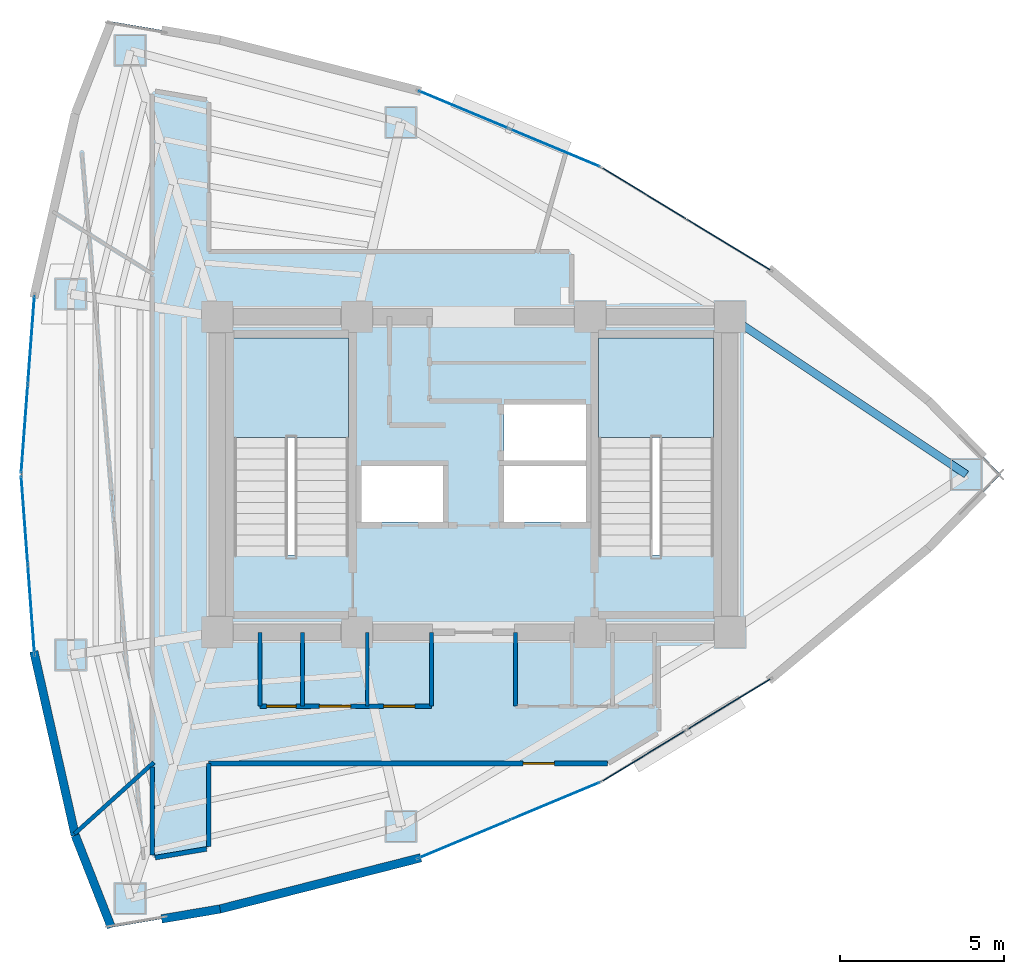
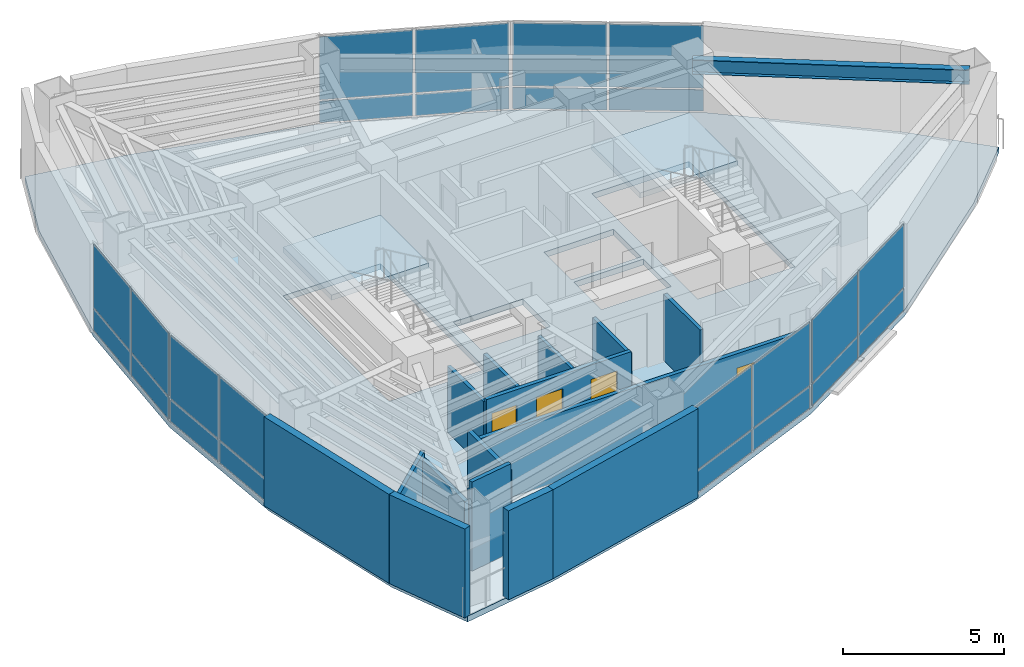
# One storey, part 11 of 16: 24 plates, 15 walls, 4 doors, 3 slabs, 1 beam, 4 openings, 8 elements without a shape of their own.
"""IFC4 building model written with IfcOpenShell, lengths in metres."""

import ifcopenshell
import ifcopenshell.guid

model = None  # the IFC model being written
_history = None  # IfcOwnerHistory: only IFC2X3 demands one
_inside = {}  # id of a spatial element -> (the spatial element, [elements in it])
_under = {}  # id of a project, library or spatial element -> (it, [spatial elements below it])
_declared = {}  # id of a project -> (the project, [libraries it declares])
_typed = {}  # id of a type object -> (the type object, [elements of that type])
_made_of = {}  # id of a material, layer set ... -> (it, [elements and type objects made of it])


def new_model(schema):
    """Start an empty IFC model of exactly this schema.

    Asked for "IFC4X3", IfcOpenShell would pick the latest addendum, in which some entities
    have other attributes; the version numbers below select the first issue.
    IFC2X3 requires an IfcOwnerHistory on every rooted entity: one is made here for all.
    """
    global model, _history
    if schema == "IFC4X3":
        model = ifcopenshell.file(schema_version=(4, 3, 0, 0))
    else:
        model = ifcopenshell.file(schema=schema)
    _inside.clear()
    _under.clear()
    _declared.clear()
    _typed.clear()
    _made_of.clear()
    _history = None
    if model.schema == "IFC2X3":
        org = make("IfcOrganization", Name="unknown")
        user = make(
            "IfcPersonAndOrganization",
            ThePerson=make("IfcPerson", FamilyName="unknown"),
            TheOrganization=org,
        )
        app = make(
            "IfcApplication",
            ApplicationDeveloper=org,
            Version="unknown",
            ApplicationFullName="unknown",
            ApplicationIdentifier="unknown",
        )
        _history = make(
            "IfcOwnerHistory",
            OwningUser=user,
            OwningApplication=app,
            ChangeAction="ADDED",
            CreationDate=0,
        )
    return model


def make(cls, **values):
    """One entity of the class cls with the attributes given. An attribute that is None is left unset."""
    return model.create_entity(
        cls, **{name: value for name, value in values.items() if value is not None}
    )


def rooted(cls, **values):
    """An entity with a GlobalId (a new one), such as an element, a storey or a relation."""
    return make(cls, GlobalId=ifcopenshell.guid.new(), OwnerHistory=_history, **values)


def si_unit(unit_type, name, prefix=None):
    """IfcSIUnit, for example si_unit("LENGTHUNIT", "METRE", prefix="MILLI")."""
    return make("IfcSIUnit", UnitType=unit_type, Prefix=prefix, Name=name)


def assignment(units):
    """IfcUnitAssignment: the units of a project."""
    return None if units is None else make("IfcUnitAssignment", Units=units)


def point(xyz):
    """IfcCartesianPoint."""
    return None if xyz is None else make("IfcCartesianPoint", Coordinates=xyz)


def direction(xyz):
    """IfcDirection."""
    return None if xyz is None else make("IfcDirection", DirectionRatios=xyz)


def frame(location, z_axis=None, x_axis=None):
    """IfcAxis2Placement3D, a coordinate frame: its origin and axes. An axis left out is left unset."""
    return make(
        "IfcAxis2Placement3D",
        Location=point(location),
        Axis=direction(z_axis),
        RefDirection=direction(x_axis),
    )


def frame_2d(location, x_axis=None):
    """IfcAxis2Placement2D, a coordinate frame in the plane: its origin and x axis."""
    return make(
        "IfcAxis2Placement2D", Location=point(location), RefDirection=direction(x_axis)
    )


def origin():
    """The frame at (0, 0, 0) with its axes left unset."""
    return frame((0.0, 0.0, 0.0))


def origin_2d():
    """The frame at (0, 0) in the plane with its x axis left unset."""
    return frame_2d((0.0, 0.0))


def place(relative_to, where):
    """IfcLocalPlacement: puts the frame where relative to a parent placement (None: the world)."""
    return make(
        "IfcLocalPlacement", PlacementRelTo=relative_to, RelativePlacement=where
    )


def context(
    kind, dimensions, precision=None, world=None, true_north=None, identifier=None
):
    """IfcGeometricRepresentationContext, for example the 3D "Model" context."""
    return make(
        "IfcGeometricRepresentationContext",
        ContextIdentifier=identifier,
        ContextType=kind,
        CoordinateSpaceDimension=dimensions,
        Precision=precision,
        WorldCoordinateSystem=world,
        TrueNorth=true_north,
    )


def subcontext(parent, identifier, kind, view, scale=None):
    """IfcGeometricRepresentationSubContext, for example "Body" below "Model"."""
    return make(
        "IfcGeometricRepresentationSubContext",
        ContextIdentifier=identifier,
        ContextType=kind,
        ParentContext=parent,
        TargetScale=scale,
        TargetView=view,
    )


def project(units=None, contexts=None):
    """IfcProject with its units and contexts."""
    return rooted(
        "IfcProject",
        Name="project",
        RepresentationContexts=contexts,
        UnitsInContext=assignment(units),
    )


def spatial(cls, under=None, at=None, **own):
    """A site, building, storey or space (cls), placed at a placement, below another one or the project."""
    s = rooted(cls, ObjectPlacement=at, **own)
    if under is not None:
        _under.setdefault(under.id(), (under, []))[1].append(s)
    return s


def polyline(points):
    """IfcPolyline through the points."""
    return make("IfcPolyline", Points=[point(p) for p in points])


def profile(cls, at=None, kind="AREA", **sizes):
    """A parametric profile (cls). Its sizes go by their IFC names, for example OverallWidth=200.0."""
    return make(cls, ProfileType=kind, Position=at, **sizes)


def rectangle(**sizes):
    """IfcRectangleProfileDef."""
    return profile("IfcRectangleProfileDef", **sizes)


def i_section(**sizes):
    """IfcIShapeProfileDef."""
    return profile("IfcIShapeProfileDef", **sizes)


def outline(outer, holes=None, kind="AREA"):
    """IfcArbitraryClosedProfileDef: a profile drawn as a closed curve; with holes, ...WithVoids."""
    if holes is None:
        return make("IfcArbitraryClosedProfileDef", ProfileType=kind, OuterCurve=outer)
    return make(
        "IfcArbitraryProfileDefWithVoids",
        ProfileType=kind,
        OuterCurve=outer,
        InnerCurves=holes,
    )


def extrude(swept, where, along, depth):
    """IfcExtrudedAreaSolid: the profile swept, set in the frame where, extruded along a direction by depth."""
    return make(
        "IfcExtrudedAreaSolid",
        SweptArea=swept,
        Position=where,
        ExtrudedDirection=direction(along),
        Depth=depth,
    )


def shape(context_of_items, identifier, shape_type, items):
    """IfcShapeRepresentation: the items that make up one representation, for example the "Body"."""
    return make(
        "IfcShapeRepresentation",
        ContextOfItems=context_of_items,
        RepresentationIdentifier=identifier,
        RepresentationType=shape_type,
        Items=items,
    )


def material(Name=None, Category=None):
    """IfcMaterial."""
    return make("IfcMaterial", Name=Name, Category=Category)


def layer(
    of_material, thickness, ventilated=None, Name=None, Category=None, Priority=None
):
    """IfcMaterialLayer: one layer of a wall or slab, of a material (None: an air gap)."""
    return make(
        "IfcMaterialLayer",
        Material=of_material,
        LayerThickness=thickness,
        IsVentilated=ventilated,
        Name=Name,
        Category=Category,
        Priority=Priority,
    )


def layer_set(layers, Name=None):
    """IfcMaterialLayerSet."""
    return make("IfcMaterialLayerSet", MaterialLayers=layers, LayerSetName=Name)


def material_profile(
    of_material, cross_section, Name=None, Category=None, Priority=None
):
    """IfcMaterialProfile: a cross section and its material."""
    return make(
        "IfcMaterialProfile",
        Name=Name,
        Material=of_material,
        Profile=cross_section,
        Priority=Priority,
        Category=Category,
    )


def profile_set(profiles, Name=None, composite=None):
    """IfcMaterialProfileSet."""
    return make(
        "IfcMaterialProfileSet",
        Name=Name,
        MaterialProfiles=profiles,
        CompositeProfile=composite,
    )


def made_of(thing, what):
    """Note that an element or type object is made of a material, layer set ...; save() writes the relation."""
    if what is not None:
        _made_of.setdefault(what.id(), (what, []))[1].append(thing)
    return thing


def type_object(cls, material=None, **own):
    """A type object (cls), such as IfcWallType, which elements share."""
    return made_of(rooted(cls, **own), material)


def element(
    cls,
    number,
    at=None,
    inside=None,
    cuts=None,
    type_object=None,
    material=None,
    context=None,
    identifier="Body",
    shape_type=None,
    held_by="IfcProductDefinitionShape",
    body=None,
    shapes=None,
    **own,
):
    """One element of the class cls, such as IfcWall. Its Tag is "e" and its number.

    at: its placement. inside: the storey or other place that contains it. cuts: it is an
    opening in that element (IfcRelVoidsElement). A single representation is given by context,
    identifier, shape_type and body (its items); several are given by shapes. held_by: the class
    of the entity that holds the representations. save() writes the other relations.
    """
    e = rooted(cls, Tag="e%d" % number, ObjectPlacement=at, **own)
    if body is not None:
        shapes = [shape(context, identifier, shape_type, body)]
    if shapes is not None:
        e.Representation = make(held_by, Representations=shapes)
    if inside is not None:
        _inside.setdefault(inside.id(), (inside, []))[1].append(e)
    if cuts is not None:
        rooted(
            "IfcRelVoidsElement", RelatingBuildingElement=cuts, RelatedOpeningElement=e
        )
    if type_object is not None:
        _typed.setdefault(type_object.id(), (type_object, []))[1].append(e)
    return made_of(e, material)


def fill(opening, filler):
    """IfcRelFillsElement: the door or window that sits in an opening."""
    return rooted(
        "IfcRelFillsElement",
        RelatingOpeningElement=opening,
        RelatedBuildingElement=filler,
    )


def aggregate(whole, parts):
    """IfcRelAggregates: a whole, such as a stair, and the parts it consists of."""
    return rooted("IfcRelAggregates", RelatingObject=whole, RelatedObjects=parts)


def save(model, path):
    """Write the relations noted so far, then the file.

    IfcRelAggregates (storeys below a building ...), IfcRelContainedInSpatialStructure (elements
    in a storey), IfcRelDefinesByType, IfcRelAssociatesMaterial and IfcRelDeclares: one each for
    every whole, place, type object, material and project.
    """
    for whole, parts in _under.values():
        aggregate(whole, parts)
    for where, things in _inside.values():
        rooted(
            "IfcRelContainedInSpatialStructure",
            RelatedElements=things,
            RelatingStructure=where,
        )
    for kind, things in _typed.values():
        rooted("IfcRelDefinesByType", RelatedObjects=things, RelatingType=kind)
    for what, things in _made_of.values():
        rooted("IfcRelAssociatesMaterial", RelatedObjects=things, RelatingMaterial=what)
    for by, libraries in _declared.values():
        rooted("IfcRelDeclares", RelatingContext=by, RelatedDefinitions=libraries)
    model.write(path)


model = new_model("IFC4")

# Units and contexts
model_context = context("Model", 3, precision=1e-05, world=origin(), true_north=direction((0.0, 1.0)))
body_context = subcontext(model_context, "Body", "Model", "MODEL_VIEW")
ifc_project = project(units=[si_unit("LENGTHUNIT", "METRE"), si_unit("AREAUNIT", "SQUARE_METRE"), si_unit("VOLUMEUNIT", "CUBIC_METRE"), si_unit("PLANEANGLEUNIT", "RADIAN"), si_unit("MASSUNIT", "GRAM", prefix="KILO")], contexts=[model_context])

# Site, building, storey
site_placement = place(None, origin())
site = spatial("IfcSite", under=ifc_project, at=site_placement, CompositionType="ELEMENT")
building_placement = place(site_placement, origin())
building = spatial("IfcBuilding", under=site, at=building_placement, Name="Menara Vayukalpa", CompositionType="ELEMENT")
storey_placement = place(building_placement, frame((0.0, 0.0, 210.1201171875)))
storey = spatial("IfcBuildingStorey", under=building, at=storey_placement, Name="L53", CompositionType="ELEMENT", Elevation=210.1201171875)

# Beam
ifc_material_1 = material(Name="Steel S355", Category="steel")
ifc_material_profile = material_profile(ifc_material_1, i_section(OverallWidth=0.239990234375, OverallDepth=0.550048828125, WebThickness=0.010986328125, FlangeThickness=0.01904296875, at=origin_2d()), Name="WF 550x240x11x19")
ifc_profile_set = profile_set([ifc_material_profile], Name="Steel S355")
beam_type = type_object("IfcBeamType", Name="BM-SP2", PredefinedType="SPANDREL", material=ifc_profile_set)
beam_placement = place(storey_placement, frame((40.590576171875, 22.0, 3.10498046875), z_axis=(-0.831715622571, 0.555201876052, 0.0), x_axis=(-0.555201876052, -0.831715622571, 0.0)))
element("IfcBeam", 1, at=beam_placement, inside=storey, type_object=beam_type, Name="L53 Perimeter Spandrel Beam SP01", PredefinedType="SPANDREL", context=body_context, shape_type="SweptSolid", body=[
    extrude(i_section(OverallWidth=0.239990234375, OverallDepth=0.550048828125, WebThickness=0.010986328125, FlangeThickness=0.01904296875, at=origin_2d()), origin(), (0.0, 0.0, 1.0), 8.6455078125),
])

# Curtain wall, plates
ifc_material_2 = material(Name="Anodised Terracotta Aluminium Alloy 6063-T6", Category="masonry")
ifc_layer_1 = layer(ifc_material_2, 0.139892578125)
ifc_layer_set_1 = layer_set([ifc_layer_1], Name="Anodised Terracotta Aluminium Alloy 6063-T6")
curtain_wall_type = type_object("IfcCurtainWallType", Name="CW-CW5", PredefinedType="USERDEFINED", material=ifc_layer_set_1)
curtain_wall_1_placement = place(storey_placement, origin())
curtain_wall_1 = element("IfcCurtainWall", 2, at=curtain_wall_1_placement, inside=storey, type_object=curtain_wall_type, Name="L53 High Rise Tapered Curtain Wall CW5 04", ObjectType="UNITISED", PredefinedType="USERDEFINED")
ifc_material_3 = material(Name="Low-E Double Glazing", Category="glass")
ifc_layer_2 = layer(ifc_material_3, 0.028076171875)
ifc_layer_set_2 = layer_set([ifc_layer_2], Name="Low-E Double Glazing")
plate_type = type_object("IfcPlateType", Name="CWP-CW5", PredefinedType="CURTAIN_PANEL", material=ifc_layer_set_2)
plate_1_placement = place(storey_placement, frame((33.358642578125, 28.994384765625, 0.059814453125), z_axis=(0.0, 0.0, 1.0), x_axis=(-0.854664974832, 0.519179911779, 0.0)))
plate_1 = element("IfcPlate", 3, at=plate_1_placement, type_object=plate_type, Name="CW5 panel 1.1", PredefinedType="CURTAIN_PANEL", context=body_context, shape_type="SweptSolid", body=[
    extrude(rectangle(XDim=2.9423828125, YDim=0.028076171875, at=origin_2d()), origin(), (0.0, 0.0, 1.0), 0.81005859375),
])
plate_2_placement = place(storey_placement, frame((33.358642578125, 28.994384765625, 0.93017578125), z_axis=(0.0, 0.0, 1.0), x_axis=(-0.854664974832, 0.519179911779, 0.0)))
plate_2 = element("IfcPlate", 4, at=plate_2_placement, type_object=plate_type, Name="CW5 panel 1.2", PredefinedType="CURTAIN_PANEL", context=body_context, shape_type="SweptSolid", body=[
    extrude(rectangle(XDim=2.9423828125, YDim=0.028076171875, at=origin_2d()), origin(), (0.0, 0.0, 1.0), 2.389892578125),
])
plate_3_placement = place(storey_placement, frame((30.79248046875, 30.55322265625, 0.059814453125), z_axis=(0.0, 0.0, 1.0), x_axis=(-0.854664974832, 0.519179911779, 0.0)))
plate_3 = element("IfcPlate", 5, at=plate_3_placement, type_object=plate_type, Name="CW5 panel 2.1", PredefinedType="CURTAIN_PANEL", context=body_context, shape_type="SweptSolid", body=[
    extrude(rectangle(XDim=2.9423828125, YDim=0.028076171875, at=origin_2d()), origin(), (0.0, 0.0, 1.0), 0.81005859375),
])
plate_4_placement = place(storey_placement, frame((30.79248046875, 30.55322265625, 0.93017578125), z_axis=(0.0, 0.0, 1.0), x_axis=(-0.854664974832, 0.519179911779, 0.0)))
plate_4 = element("IfcPlate", 6, at=plate_4_placement, type_object=plate_type, Name="CW5 panel 2.2", PredefinedType="CURTAIN_PANEL", context=body_context, shape_type="SweptSolid", body=[
    extrude(rectangle(XDim=2.9423828125, YDim=0.028076171875, at=origin_2d()), origin(), (0.0, 0.0, 1.0), 2.389892578125),
])
aggregate(curtain_wall_1, [plate_1, plate_2, plate_3, plate_4])

curtain_wall_2_placement = place(storey_placement, origin())
curtain_wall_2 = element("IfcCurtainWall", 7, at=curtain_wall_2_placement, inside=storey, type_object=curtain_wall_type, Name="L53 High Rise Tapered Curtain Wall CW5 05", ObjectType="UNITISED", PredefinedType="USERDEFINED")
plate_5_placement = place(storey_placement, frame((28.071044921875, 31.93896484375, 0.059814453125), z_axis=(0.0, 0.0, 1.0), x_axis=(-0.922539431351, 0.385902834406, 0.0)))
plate_5 = element("IfcPlate", 8, at=plate_5_placement, type_object=plate_type, Name="CW5 panel 1.1", PredefinedType="CURTAIN_PANEL", context=body_context, shape_type="SweptSolid", body=[
    extrude(rectangle(XDim=2.9423828125, YDim=0.028076171875, at=origin_2d()), origin(), (0.0, 0.0, 1.0), 0.81005859375),
])
plate_6_placement = place(storey_placement, frame((28.071044921875, 31.93896484375, 0.93017578125), z_axis=(0.0, 0.0, 1.0), x_axis=(-0.922539431351, 0.385902834406, 0.0)))
plate_6 = element("IfcPlate", 9, at=plate_6_placement, type_object=plate_type, Name="CW5 panel 1.2", PredefinedType="CURTAIN_PANEL", context=body_context, shape_type="SweptSolid", body=[
    extrude(rectangle(XDim=2.9423828125, YDim=0.028076171875, at=origin_2d()), origin(), (0.0, 0.0, 1.0), 2.389892578125),
])
plate_7_placement = place(storey_placement, frame((25.30126953125, 33.09765625, 0.059814453125), z_axis=(0.0, 0.0, 1.0), x_axis=(-0.922539431351, 0.385902834406, 0.0)))
plate_7 = element("IfcPlate", 10, at=plate_7_placement, type_object=plate_type, Name="CW5 panel 2.1", PredefinedType="CURTAIN_PANEL", context=body_context, shape_type="SweptSolid", body=[
    extrude(rectangle(XDim=2.9423828125, YDim=0.028076171875, at=origin_2d()), origin(), (0.0, 0.0, 1.0), 0.81005859375),
])
plate_8_placement = place(storey_placement, frame((25.30126953125, 33.09765625, 0.93017578125), z_axis=(0.0, 0.0, 1.0), x_axis=(-0.922539431351, 0.385902834406, 0.0)))
plate_8 = element("IfcPlate", 11, at=plate_8_placement, type_object=plate_type, Name="CW5 panel 2.2", PredefinedType="CURTAIN_PANEL", context=body_context, shape_type="SweptSolid", body=[
    extrude(rectangle(XDim=2.9423828125, YDim=0.028076171875, at=origin_2d()), origin(), (0.0, 0.0, 1.0), 2.389892578125),
])
aggregate(curtain_wall_2, [plate_5, plate_6, plate_7, plate_8])

curtain_wall_3_placement = place(storey_placement, origin())
curtain_wall_3 = element("IfcCurtainWall", 12, at=curtain_wall_3_placement, inside=storey, type_object=curtain_wall_type, Name="L53 High Rise Tapered Curtain Wall CW5 10", ObjectType="UNITISED", PredefinedType="USERDEFINED")
plate_9_placement = place(storey_placement, frame((12.139892578125, 26.10205078125, 0.059814453125), z_axis=(0.0, 0.0, 1.0), x_axis=(-0.074791754736, -0.9971991744, 0.0)))
plate_9 = element("IfcPlate", 13, at=plate_9_placement, type_object=plate_type, Name="CW5 panel 1.1", PredefinedType="CURTAIN_PANEL", context=body_context, shape_type="SweptSolid", body=[
    extrude(rectangle(XDim=2.662353515625, YDim=0.028076171875, at=origin_2d()), origin(), (0.0, 0.0, 1.0), 0.81005859375),
])
plate_10_placement = place(storey_placement, frame((12.139892578125, 26.10205078125, 0.93017578125), z_axis=(0.0, 0.0, 1.0), x_axis=(-0.074791754736, -0.9971991744, 0.0)))
plate_10 = element("IfcPlate", 14, at=plate_10_placement, type_object=plate_type, Name="CW5 panel 1.2", PredefinedType="CURTAIN_PANEL", context=body_context, shape_type="SweptSolid", body=[
    extrude(rectangle(XDim=2.662353515625, YDim=0.028076171875, at=origin_2d()), origin(), (0.0, 0.0, 1.0), 2.389892578125),
])
plate_11_placement = place(storey_placement, frame((11.936279296875, 23.38720703125, 0.059814453125), z_axis=(0.0, 0.0, 1.0), x_axis=(-0.074791754736, -0.9971991744, 0.0)))
plate_11 = element("IfcPlate", 15, at=plate_11_placement, type_object=plate_type, Name="CW5 panel 2.1", PredefinedType="CURTAIN_PANEL", context=body_context, shape_type="SweptSolid", body=[
    extrude(rectangle(XDim=2.662353515625, YDim=0.028076171875, at=origin_2d()), origin(), (0.0, 0.0, 1.0), 0.81005859375),
])
plate_12_placement = place(storey_placement, frame((11.936279296875, 23.38720703125, 0.93017578125), z_axis=(0.0, 0.0, 1.0), x_axis=(-0.074791754736, -0.9971991744, 0.0)))
plate_12 = element("IfcPlate", 16, at=plate_12_placement, type_object=plate_type, Name="CW5 panel 2.2", PredefinedType="CURTAIN_PANEL", context=body_context, shape_type="SweptSolid", body=[
    extrude(rectangle(XDim=2.662353515625, YDim=0.028076171875, at=origin_2d()), origin(), (0.0, 0.0, 1.0), 2.389892578125),
])
aggregate(curtain_wall_3, [plate_9, plate_10, plate_11, plate_12])

curtain_wall_4_placement = place(storey_placement, origin())
curtain_wall_4 = element("IfcCurtainWall", 17, at=curtain_wall_4_placement, inside=storey, type_object=curtain_wall_type, Name="L53 High Rise Tapered Curtain Wall CW5 11", ObjectType="UNITISED", PredefinedType="USERDEFINED")
plate_13_placement = place(storey_placement, frame((11.936279296875, 20.61279296875, 0.059814453125), z_axis=(0.0, 0.0, 1.0), x_axis=(0.074791754736, -0.9971991744, 0.0)))
plate_13 = element("IfcPlate", 18, at=plate_13_placement, type_object=plate_type, Name="CW5 panel 1.1", PredefinedType="CURTAIN_PANEL", context=body_context, shape_type="SweptSolid", body=[
    extrude(rectangle(XDim=2.662353515625, YDim=0.028076171875, at=origin_2d()), origin(), (0.0, 0.0, 1.0), 0.81005859375),
])
plate_14_placement = place(storey_placement, frame((11.936279296875, 20.61279296875, 0.93017578125), z_axis=(0.0, 0.0, 1.0), x_axis=(0.074791754736, -0.9971991744, 0.0)))
plate_14 = element("IfcPlate", 19, at=plate_14_placement, type_object=plate_type, Name="CW5 panel 1.2", PredefinedType="CURTAIN_PANEL", context=body_context, shape_type="SweptSolid", body=[
    extrude(rectangle(XDim=2.662353515625, YDim=0.028076171875, at=origin_2d()), origin(), (0.0, 0.0, 1.0), 2.389892578125),
])
plate_15_placement = place(storey_placement, frame((12.139892578125, 17.89794921875, 0.059814453125), z_axis=(0.0, 0.0, 1.0), x_axis=(0.074791754736, -0.9971991744, 0.0)))
plate_15 = element("IfcPlate", 20, at=plate_15_placement, type_object=plate_type, Name="CW5 panel 2.1", PredefinedType="CURTAIN_PANEL", context=body_context, shape_type="SweptSolid", body=[
    extrude(rectangle(XDim=2.662353515625, YDim=0.028076171875, at=origin_2d()), origin(), (0.0, 0.0, 1.0), 0.81005859375),
])
plate_16_placement = place(storey_placement, frame((12.139892578125, 17.89794921875, 0.93017578125), z_axis=(0.0, 0.0, 1.0), x_axis=(0.074791754736, -0.9971991744, 0.0)))
plate_16 = element("IfcPlate", 21, at=plate_16_placement, type_object=plate_type, Name="CW5 panel 2.2", PredefinedType="CURTAIN_PANEL", context=body_context, shape_type="SweptSolid", body=[
    extrude(rectangle(XDim=2.662353515625, YDim=0.028076171875, at=origin_2d()), origin(), (0.0, 0.0, 1.0), 2.389892578125),
])
aggregate(curtain_wall_4, [plate_13, plate_14, plate_15, plate_16])

curtain_wall_5_placement = place(storey_placement, origin())
curtain_wall_5 = element("IfcCurtainWall", 22, at=curtain_wall_5_placement, inside=storey, type_object=curtain_wall_type, Name="L53 High Rise Tapered Curtain Wall CW5 16", ObjectType="UNITISED", PredefinedType="USERDEFINED")
plate_17_placement = place(storey_placement, frame((25.30126953125, 10.90234375, 0.059814453125), z_axis=(0.0, 0.0, 1.0), x_axis=(0.922539431351, 0.385902834406, 0.0)))
plate_17 = element("IfcPlate", 23, at=plate_17_placement, type_object=plate_type, Name="CW5 panel 1.1", PredefinedType="CURTAIN_PANEL", context=body_context, shape_type="SweptSolid", body=[
    extrude(rectangle(XDim=2.9423828125, YDim=0.028076171875, at=origin_2d()), origin(), (0.0, 0.0, 1.0), 0.81005859375),
])
plate_18_placement = place(storey_placement, frame((25.30126953125, 10.90234375, 0.93017578125), z_axis=(0.0, 0.0, 1.0), x_axis=(0.922539431351, 0.385902834406, 0.0)))
plate_18 = element("IfcPlate", 24, at=plate_18_placement, type_object=plate_type, Name="CW5 panel 1.2", PredefinedType="CURTAIN_PANEL", context=body_context, shape_type="SweptSolid", body=[
    extrude(rectangle(XDim=2.9423828125, YDim=0.028076171875, at=origin_2d()), origin(), (0.0, 0.0, 1.0), 2.389892578125),
])
plate_19_placement = place(storey_placement, frame((28.071044921875, 12.06103515625, 0.059814453125), z_axis=(0.0, 0.0, 1.0), x_axis=(0.922539431351, 0.385902834406, 0.0)))
plate_19 = element("IfcPlate", 25, at=plate_19_placement, type_object=plate_type, Name="CW5 panel 2.1", PredefinedType="CURTAIN_PANEL", context=body_context, shape_type="SweptSolid", body=[
    extrude(rectangle(XDim=2.9423828125, YDim=0.028076171875, at=origin_2d()), origin(), (0.0, 0.0, 1.0), 0.81005859375),
])
plate_20_placement = place(storey_placement, frame((28.071044921875, 12.06103515625, 0.93017578125), z_axis=(0.0, 0.0, 1.0), x_axis=(0.922539431351, 0.385902834406, 0.0)))
plate_20 = element("IfcPlate", 26, at=plate_20_placement, type_object=plate_type, Name="CW5 panel 2.2", PredefinedType="CURTAIN_PANEL", context=body_context, shape_type="SweptSolid", body=[
    extrude(rectangle(XDim=2.9423828125, YDim=0.028076171875, at=origin_2d()), origin(), (0.0, 0.0, 1.0), 2.389892578125),
])
aggregate(curtain_wall_5, [plate_17, plate_18, plate_19, plate_20])

curtain_wall_6_placement = place(storey_placement, origin())
curtain_wall_6 = element("IfcCurtainWall", 27, at=curtain_wall_6_placement, inside=storey, type_object=curtain_wall_type, Name="L53 High Rise Tapered Curtain Wall CW5 17", ObjectType="UNITISED", PredefinedType="USERDEFINED")
plate_21_placement = place(storey_placement, frame((30.79248046875, 13.44677734375, 0.059814453125), z_axis=(0.0, 0.0, 1.0), x_axis=(0.854664974832, 0.519179911779, 0.0)))
plate_21 = element("IfcPlate", 28, at=plate_21_placement, type_object=plate_type, Name="CW5 panel 1.1", PredefinedType="CURTAIN_PANEL", context=body_context, shape_type="SweptSolid", body=[
    extrude(rectangle(XDim=2.9423828125, YDim=0.028076171875, at=origin_2d()), origin(), (0.0, 0.0, 1.0), 0.81005859375),
])
plate_22_placement = place(storey_placement, frame((30.79248046875, 13.44677734375, 0.93017578125), z_axis=(0.0, 0.0, 1.0), x_axis=(0.854664974832, 0.519179911779, 0.0)))
plate_22 = element("IfcPlate", 29, at=plate_22_placement, type_object=plate_type, Name="CW5 panel 1.2", PredefinedType="CURTAIN_PANEL", context=body_context, shape_type="SweptSolid", body=[
    extrude(rectangle(XDim=2.9423828125, YDim=0.028076171875, at=origin_2d()), origin(), (0.0, 0.0, 1.0), 2.389892578125),
])
plate_23_placement = place(storey_placement, frame((33.358642578125, 15.005615234375, 0.059814453125), z_axis=(0.0, 0.0, 1.0), x_axis=(0.854664974832, 0.519179911779, 0.0)))
plate_23 = element("IfcPlate", 30, at=plate_23_placement, type_object=plate_type, Name="CW5 panel 2.1", PredefinedType="CURTAIN_PANEL", context=body_context, shape_type="SweptSolid", body=[
    extrude(rectangle(XDim=2.9423828125, YDim=0.028076171875, at=origin_2d()), origin(), (0.0, 0.0, 1.0), 0.81005859375),
])
plate_24_placement = place(storey_placement, frame((33.358642578125, 15.005615234375, 0.93017578125), z_axis=(0.0, 0.0, 1.0), x_axis=(0.854664974832, 0.519179911779, 0.0)))
plate_24 = element("IfcPlate", 31, at=plate_24_placement, type_object=plate_type, Name="CW5 panel 2.2", PredefinedType="CURTAIN_PANEL", context=body_context, shape_type="SweptSolid", body=[
    extrude(rectangle(XDim=2.9423828125, YDim=0.028076171875, at=origin_2d()), origin(), (0.0, 0.0, 1.0), 2.389892578125),
])
aggregate(curtain_wall_6, [plate_21, plate_22, plate_23, plate_24])

# Slab
ifc_material_4 = material(Name="Concrete C40/50", Category="concrete")
ifc_layer_3 = layer(ifc_material_4, 0.219970703125)
ifc_layer_set_3 = layer_set([ifc_layer_3], Name="Concrete C40/50")
slab_type_1 = type_object("IfcSlabType", Name="SLB-FL220", PredefinedType="FLOOR", material=ifc_layer_set_3)
slab_1_placement = place(storey_placement, frame((0.0, 0.0, -0.22021484375)))
element("IfcSlab", 32, at=slab_1_placement, inside=storey, type_object=slab_type_1, Name="L53 Structural Floor Slab", PredefinedType="FLOOR", context=body_context, shape_type="SweptSolid", body=[
    extrude(outline(polyline([(39.439208984375, 19.7578125), (41.640380859375, 22.0), (39.439208984375, 24.2421875), (34.667236328125, 28.19921875), (29.48388671875, 31.34814453125), (23.888671875, 33.688720703125), (17.881591796875, 35.220703125), (14.579833984375, 35.781005859375), (13.47900390625, 32.978515625), (12.243896484375, 27.4892578125), (11.832275390625, 22.0), (12.243896484375, 16.5107421875), (13.47900390625, 11.021484375), (14.579833984375, 8.218994140625), (17.881591796875, 8.779296875), (23.888671875, 10.311279296875), (29.48388671875, 12.65185546875), (34.667236328125, 15.80078125), (39.439208984375, 19.7578125)]), holes=[polyline([(21.800048828125, 19.550048828125), (21.800048828125, 26.14990234375), (18.300048828125, 26.14990234375), (18.300048828125, 19.550048828125), (21.800048828125, 19.550048828125)]), polyline([(32.89990234375, 19.550048828125), (32.89990234375, 26.14990234375), (29.39990234375, 26.14990234375), (29.39990234375, 19.550048828125), (32.89990234375, 19.550048828125)]), polyline([(22.179931640625, 20.550048828125), (24.679931640625, 20.550048828125), (24.679931640625, 22.27001953125), (22.179931640625, 22.27001953125), (22.179931640625, 20.550048828125)]), polyline([(26.52001953125, 20.550048828125), (29.02001953125, 20.550048828125), (29.02001953125, 22.27001953125), (26.52001953125, 22.27001953125), (26.52001953125, 20.550048828125)]), polyline([(26.52001953125, 22.419921875), (29.02001953125, 22.419921875), (29.02001953125, 24.139892578125), (26.52001953125, 24.139892578125), (26.52001953125, 22.419921875)])]), origin(), (0.0, 0.0, 1.0), 0.22021484375),
])

# Stair, slab
ifc_material_5 = material(Name="Precast Concrete C40/50", Category="concrete")
stair_type = type_object("IfcStairType", Name="STR-T04", PredefinedType="DOUBLE_RETURN_STAIR", material=ifc_material_5)
stair_1_placement = place(storey_placement, origin())
stair_1 = element("IfcStair", 33, at=stair_1_placement, inside=storey, type_object=stair_type, Name="L53 Core Exit Stair ST-1", PredefinedType="DOUBLE_RETURN_STAIR")
ifc_material_6 = material(Name="Precast Concrete C40/50", Category="concrete")
ifc_layer_4 = layer(ifc_material_6, 0.199951171875)
ifc_layer_set_4 = layer_set([ifc_layer_4], Name="Precast Concrete C40/50")
slab_type_2 = type_object("IfcSlabType", Name="SLB-LND200", PredefinedType="LANDING", material=ifc_layer_set_4)
slab_2_placement = place(storey_placement, frame((0.0, 0.0, 1.659912109375)))
slab_2 = element("IfcSlab", 34, at=slab_2_placement, type_object=slab_type_2, Name="ST-1 landing 1", PredefinedType="LANDING", context=body_context, shape_type="SweptSolid", body=[
    extrude(outline(polyline([(21.800048828125, 23.1298828125), (21.800048828125, 26.14990234375), (18.300048828125, 26.14990234375), (18.300048828125, 23.1298828125), (21.800048828125, 23.1298828125)])), origin(), (0.0, 0.0, 1.0), 0.199951171875),
])
aggregate(stair_1, [slab_2])

stair_2_placement = place(storey_placement, origin())
stair_2 = element("IfcStair", 35, at=stair_2_placement, inside=storey, type_object=stair_type, Name="L53 Core Exit Stair ST-2", PredefinedType="DOUBLE_RETURN_STAIR")
slab_3_placement = place(storey_placement, frame((0.0, 0.0, 1.659912109375)))
slab_3 = element("IfcSlab", 36, at=slab_3_placement, type_object=slab_type_2, Name="ST-2 landing 1", PredefinedType="LANDING", context=body_context, shape_type="SweptSolid", body=[
    extrude(outline(polyline([(32.89990234375, 23.1298828125), (32.89990234375, 26.14990234375), (29.39990234375, 26.14990234375), (29.39990234375, 23.1298828125), (32.89990234375, 23.1298828125)])), origin(), (0.0, 0.0, 1.0), 0.199951171875),
])
aggregate(stair_2, [slab_3])

# Walls
ifc_material_7 = material(Name="Insulated Precast Concrete C40/50", Category="concrete")
ifc_layer_5 = layer(ifc_material_7, 0.260009765625)
ifc_layer_set_5 = layer_set([ifc_layer_5], Name="Insulated Precast Concrete C40/50")
wall_type_1 = type_object("IfcWallType", Name="WAL-EXT260", PredefinedType="PARTITIONING", material=ifc_layer_set_5)
wall_1_placement = place(storey_placement, frame((13.47900390625, 11.021484375, 0.0), z_axis=(0.0, 0.0, 1.0), x_axis=(-0.219475737697, 0.975617958303, 0.0)))
element("IfcWall", 37, at=wall_1_placement, inside=storey, type_object=wall_type_1, Name="L53 Perimeter Terracotta Pier Wall 12", PredefinedType="PARTITIONING", context=body_context, shape_type="SweptSolid", body=[
    extrude(rectangle(XDim=5.736572265625, YDim=0.260009765625, at=frame_2d((2.8681640625, 0.0))), origin(), (0.0, 0.0, 1.0), 3.3798828125),
])
wall_2_placement = place(storey_placement, frame((14.579833984375, 8.218994140625, 0.0), z_axis=(0.0, 0.0, 1.0), x_axis=(-0.365609724313, 0.930768246927, 0.0)))
element("IfcWall", 38, at=wall_2_placement, inside=storey, type_object=wall_type_1, Name="L53 Perimeter Terracotta Pier Wall 13", PredefinedType="PARTITIONING", context=body_context, shape_type="SweptSolid", body=[
    extrude(rectangle(XDim=3.010986328125, YDim=0.260009765625, at=frame_2d((1.50537109375, 0.0))), origin(), (0.0, 0.0, 1.0), 3.3798828125),
])
wall_3_placement = place(storey_placement, frame((17.8876953125, 8.780517578125, 0.0), z_axis=(0.0, 0.0, 1.0), x_axis=(-0.985877723898, -0.167466753484, 0.0)))
element("IfcWall", 39, at=wall_3_placement, inside=storey, type_object=wall_type_1, Name="L53 Perimeter Terracotta Pier Wall 14", PredefinedType="PARTITIONING", context=body_context, shape_type="SweptSolid", body=[
    extrude(rectangle(XDim=1.80615234375, YDim=0.260009765625, at=frame_2d((0.903076171875, 0.0))), origin(), (0.0, 0.0, 1.0), 3.3798828125),
])
wall_4_placement = place(storey_placement, frame((23.9951171875, 10.338623046875, 0.0), z_axis=(0.0, 0.0, 1.0), x_axis=(-0.968976240439, -0.247153890246, 0.0)))
element("IfcWall", 40, at=wall_4_placement, inside=storey, type_object=wall_type_1, Name="L53 Perimeter Terracotta Pier Wall 15", PredefinedType="PARTITIONING", context=body_context, shape_type="SweptSolid", body=[
    extrude(rectangle(XDim=6.31494140625, YDim=0.260009765625, at=frame_2d((3.157470703125, 0.0))), origin(), (0.0, 0.0, 1.0), 3.3798828125),
])
ifc_material_8 = material(Name="Acoustic Mineral Stud Partition", Category="masonry")
ifc_layer_6 = layer(ifc_material_8, 0.110107421875)
ifc_layer_set_6 = layer_set([ifc_layer_6], Name="Acoustic Mineral Stud Partition")
wall_type_2 = type_object("IfcWallType", Name="WAL-PT110", PredefinedType="PARTITIONING", material=ifc_layer_set_6)
wall_5_placement = place(storey_placement, frame((22.360107421875, 14.949951171875, 0.0), z_axis=(0.0, 0.0, 1.0), x_axis=(0.0, 1.0, 0.0)))
element("IfcWall", 41, at=wall_5_placement, inside=storey, type_object=wall_type_2, Name="L53 Interior Partition IW-L53-SVCD-03", PredefinedType="PARTITIONING", context=body_context, shape_type="SweptSolid", body=[
    extrude(rectangle(XDim=2.25, YDim=0.110107421875, at=frame_2d((1.125, 0.0))), origin(), (0.0, 0.0, 1.0), 2.509765625),
])
ifc_material_9 = material(Name="Gypsum Drywall Steel Stud Assembly", Category="steel")
ifc_layer_7 = layer(ifc_material_9, 0.125)
ifc_layer_set_7 = layer_set([ifc_layer_7], Name="Gypsum Drywall Steel Stud Assembly")
wall_type_3 = type_object("IfcWallType", Name="WAL-PT125", PredefinedType="PARTITIONING", material=ifc_layer_set_7)
for number, where, z_axis, x_axis, name in (
    (42, (19.10009765625, 14.949951171875, 0.0), (0.0, 0.0, 1.0), (0.0, 1.0, 0.0), "L53 Interior Partition IW-L53-SVCD-01"),
    (43, (20.39990234375, 14.949951171875, 0.0), (0.0, 0.0, 1.0), (0.0, 1.0, 0.0), "L53 Interior Partition IW-L53-SVCD-02"),
    (44, (24.320068359375, 14.949951171875, 0.0), (0.0, 0.0, 1.0), (0.0, 1.0, 0.0), "L53 Interior Partition IW-L53-SVCD-04"),
    (45, (26.8798828125, 14.949951171875, 0.0), (0.0, 0.0, 1.0), (0.0, 1.0, 0.0), "L53 Interior Partition IW-L53-SVCD-05"),
):
    element("IfcWall", number, at=place(storey_placement, frame(where, z_axis=z_axis, x_axis=x_axis)), inside=storey, type_object=wall_type_3, Name=name, PredefinedType="PARTITIONING", context=body_context, shape_type="SweptSolid", body=[
        extrude(rectangle(XDim=2.25, YDim=0.125, at=frame_2d((1.125, 0.0))), origin(), (0.0, 0.0, 1.0), 2.509765625),
    ])
wall_6_placement = place(storey_placement, frame((15.8701171875, 13.239013671875, 0.0), z_axis=(0.0, 0.0, 1.0), x_axis=(-0.743151976427, -0.669122664339, 0.0)))
element("IfcWall", 46, at=wall_6_placement, inside=storey, type_object=wall_type_3, Name="L53 Interior Partition IW-L53-RDIV03", PredefinedType="PARTITIONING", context=body_context, shape_type="SweptSolid", body=[
    extrude(rectangle(XDim=3.2451171875, YDim=0.125, at=frame_2d((1.62255859375, 0.0))), origin(), (0.0, 0.0, 1.0), 2.809814453125),
])

# Wall, openings, doors
ifc_material_10 = material(Name="Gypsum Drywall Acoustic Stud Assembly", Category="masonry")
ifc_layer_8 = layer(ifc_material_10, 0.14501953125)
ifc_layer_set_8 = layer_set([ifc_layer_8], Name="Gypsum Drywall Acoustic Stud Assembly")
wall_type_4 = type_object("IfcWallType", Name="WAL-PT150", PredefinedType="PARTITIONING", material=ifc_layer_set_8)
wall_7_placement = place(storey_placement, frame((19.10009765625, 14.949951171875, 0.0), z_axis=(0.0, 0.0, 1.0), x_axis=(1.0, 0.0, 0.0)))
wall_7 = element("IfcWall", 47, at=wall_7_placement, inside=storey, type_object=wall_type_4, Name="L53 Interior Partition IW-L53-SVCS-W", PredefinedType="PARTITIONING", context=body_context, shape_type="SweptSolid", body=[
    extrude(rectangle(XDim=5.219970703125, YDim=0.14501953125, at=frame_2d((2.60986328125, 0.0))), origin(), (0.0, 0.0, 1.0), 2.60986328125),
])
opening_1_placement = place(wall_7_placement, frame((0.199951171875, 0.0, 0.0)))
opening_1 = element("IfcOpeningElement", 48, at=opening_1_placement, cuts=wall_7, Name="Opening ID7", PredefinedType="OPENING", context=body_context, shape_type="SweptSolid", body=[
    extrude(rectangle(XDim=0.89990234375, YDim=2.02001953125, at=frame_2d((0.449951171875, 1.010009765625))), frame((0.0, 0.08251953125, 0.0), z_axis=(0.0, -1.0, 0.0), x_axis=(1.0, 0.0, 0.0)), (0.0, 0.0, 1.0), 0.1650390625),
])
opening_2_placement = place(wall_7_placement, frame((1.804931640625, 0.0, 0.0)))
opening_2 = element("IfcOpeningElement", 49, at=opening_2_placement, cuts=wall_7, Name="Opening ID5", PredefinedType="OPENING", context=body_context, shape_type="SweptSolid", body=[
    extrude(rectangle(XDim=0.949951171875, YDim=2.06005859375, at=frame_2d((0.47509765625, 1.030029296875))), frame((0.0, 0.08251953125, 0.0), z_axis=(0.0, -1.0, 0.0), x_axis=(1.0, 0.0, 0.0)), (0.0, 0.0, 1.0), 0.1650390625),
])
opening_3_placement = place(wall_7_placement, frame((3.764892578125, 0.0, 0.0)))
opening_3 = element("IfcOpeningElement", 50, at=opening_3_placement, cuts=wall_7, Name="Opening ID5", PredefinedType="OPENING", context=body_context, shape_type="SweptSolid", body=[
    extrude(rectangle(XDim=0.949951171875, YDim=2.06005859375, at=frame_2d((0.47509765625, 1.030029296875))), frame((0.0, 0.08251953125, 0.0), z_axis=(0.0, -1.0, 0.0), x_axis=(1.0, 0.0, 0.0)), (0.0, 0.0, 1.0), 0.1650390625),
])
ifc_material_11 = material(Name="Acoustic Hardwood Veneer Timber Door", Category="wood")
door_type_1 = type_object("IfcDoorType", Name="DR-INT95", OperationType="NOTDEFINED", PredefinedType="DOOR", material=ifc_material_11)
door_1_placement = place(opening_2_placement, origin())
door_1 = element("IfcDoor", 51, at=door_1_placement, inside=storey, type_object=door_type_1, Name="L53 Interior Door DR-L53-AWC", OperationType="SINGLE_SWING_RIGHT", OverallHeight=2.06005859375, OverallWidth=0.949951171875, PredefinedType="DOOR", context=body_context, shape_type="SweptSolid", body=[
    extrude(rectangle(XDim=0.949951171875, YDim=2.06005859375, at=frame_2d((0.47509765625, 1.030029296875))), frame((0.0, 0.02490234375, 0.0), z_axis=(0.0, -1.0, 0.0), x_axis=(1.0, 0.0, 0.0)), (0.0, 0.0, 1.0), 0.050048828125),
])
fill(opening_2, door_1)
door_2_placement = place(opening_3_placement, origin())
door_2 = element("IfcDoor", 52, at=door_2_placement, inside=storey, type_object=door_type_1, Name="L53 Interior Door DR-L53-SWC", OperationType="SINGLE_SWING_LEFT", OverallHeight=2.06005859375, OverallWidth=0.949951171875, PredefinedType="DOOR", context=body_context, shape_type="SweptSolid", body=[
    extrude(rectangle(XDim=0.949951171875, YDim=2.06005859375, at=frame_2d((0.47509765625, 1.030029296875))), frame((0.0, 0.02490234375, 0.0), z_axis=(0.0, -1.0, 0.0), x_axis=(1.0, 0.0, 0.0)), (0.0, 0.0, 1.0), 0.050048828125),
])
fill(opening_3, door_2)
ifc_material_12 = material(Name="Powder-Coated Steel Riser Access Door", Category="steel")
door_type_2 = type_object("IfcDoorType", Name="DR-RISER", OperationType="NOTDEFINED", PredefinedType="DOOR", material=ifc_material_12)
door_3_placement = place(opening_1_placement, origin())
door_3 = element("IfcDoor", 53, at=door_3_placement, inside=storey, type_object=door_type_2, Name="L53 Interior Door DR-L53-ELR", OperationType="SINGLE_SWING_LEFT", OverallHeight=2.02001953125, OverallWidth=0.89990234375, PredefinedType="DOOR", context=body_context, shape_type="SweptSolid", body=[
    extrude(rectangle(XDim=0.89990234375, YDim=2.02001953125, at=frame_2d((0.449951171875, 1.010009765625))), frame((0.0, 0.02490234375, 0.0), z_axis=(0.0, -1.0, 0.0), x_axis=(1.0, 0.0, 0.0)), (0.0, 0.0, 1.0), 0.050048828125),
])
fill(opening_1, door_3)

# Walls
wall_8_placement = place(storey_placement, frame((15.820068359375, 13.099853515625, 0.0), z_axis=(0.0, 0.0, 1.0), x_axis=(0.0, -1.0, 0.0)))
element("IfcWall", 54, at=wall_8_placement, inside=storey, type_object=wall_type_4, Name="L53 Interior Partition IW-L53-CRM03-1", PredefinedType="PARTITIONING", context=body_context, shape_type="SweptSolid", body=[
    extrude(rectangle(XDim=2.678955078125, YDim=0.14501953125, at=frame_2d((1.33935546875, 0.0))), origin(), (0.0, 0.0, 1.0), 2.60986328125),
])
wall_9_placement = place(storey_placement, frame((15.913330078125, 10.342041015625, 0.0), z_axis=(0.0, 0.0, 1.0), x_axis=(0.985914419316, 0.167250583809, 0.0)))
element("IfcWall", 55, at=wall_9_placement, inside=storey, type_object=wall_type_4, Name="L53 Interior Partition IW-L53-CRM03-2", PredefinedType="PARTITIONING", context=body_context, shape_type="SweptSolid", body=[
    extrude(rectangle(XDim=1.582275390625, YDim=0.14501953125, at=frame_2d((0.791015625, 0.0))), origin(), (0.0, 0.0, 1.0), 3.3798828125),
])
wall_10_placement = place(storey_placement, frame((17.5400390625, 10.685791015625, 0.0), z_axis=(0.0, 0.0, 1.0), x_axis=(0.0, 1.0, 0.0)))
element("IfcWall", 56, at=wall_10_placement, inside=storey, type_object=wall_type_4, Name="L53 Interior Partition IW-L53-CRM03-3", PredefinedType="PARTITIONING", context=body_context, shape_type="SweptSolid", body=[
    extrude(rectangle(XDim=2.524169921875, YDim=0.14501953125, at=frame_2d((1.26220703125, 0.0))), origin(), (0.0, 0.0, 1.0), 3.009765625),
])

# Wall, opening, door
wall_11_placement = place(storey_placement, frame((17.5400390625, 13.2099609375, 0.0), z_axis=(0.0, 0.0, 1.0), x_axis=(1.0, 0.0, 0.0)))
wall_11 = element("IfcWall", 57, at=wall_11_placement, inside=storey, type_object=wall_type_4, Name="L53 Interior Partition IW-L53-CRM03-4", PredefinedType="PARTITIONING", context=body_context, shape_type="SweptSolid", body=[
    extrude(rectangle(XDim=12.12744140625, YDim=0.14501953125, at=frame_2d((6.063720703125, 0.0))), origin(), (0.0, 0.0, 1.0), 2.60986328125),
])
opening_4_placement = place(wall_11_placement, frame((9.5703125, 0.0, 0.0)))
opening_4 = element("IfcOpeningElement", 58, at=opening_4_placement, cuts=wall_11, Name="Opening ID5", PredefinedType="OPENING", context=body_context, shape_type="SweptSolid", body=[
    extrude(rectangle(XDim=0.949951171875, YDim=2.06005859375, at=frame_2d((0.47509765625, 1.030029296875))), frame((0.0, 0.08251953125, 0.0), z_axis=(0.0, -1.0, 0.0), x_axis=(1.0, 0.0, 0.0)), (0.0, 0.0, 1.0), 0.1650390625),
])
door_4_placement = place(opening_4_placement, origin())
door_4 = element("IfcDoor", 59, at=door_4_placement, inside=storey, type_object=door_type_1, Name="L53 Interior Door DR-L53-RM03", OperationType="SINGLE_SWING_LEFT", OverallHeight=2.06005859375, OverallWidth=0.949951171875, PredefinedType="DOOR", context=body_context, shape_type="SweptSolid", body=[
    extrude(rectangle(XDim=0.949951171875, YDim=2.06005859375, at=frame_2d((0.47509765625, 1.030029296875))), frame((0.0, 0.02490234375, 0.0), z_axis=(0.0, -1.0, 0.0), x_axis=(1.0, 0.0, 0.0)), (0.0, 0.0, 1.0), 0.050048828125),
])
fill(opening_4, door_4)

save(model, "model.ifc")
